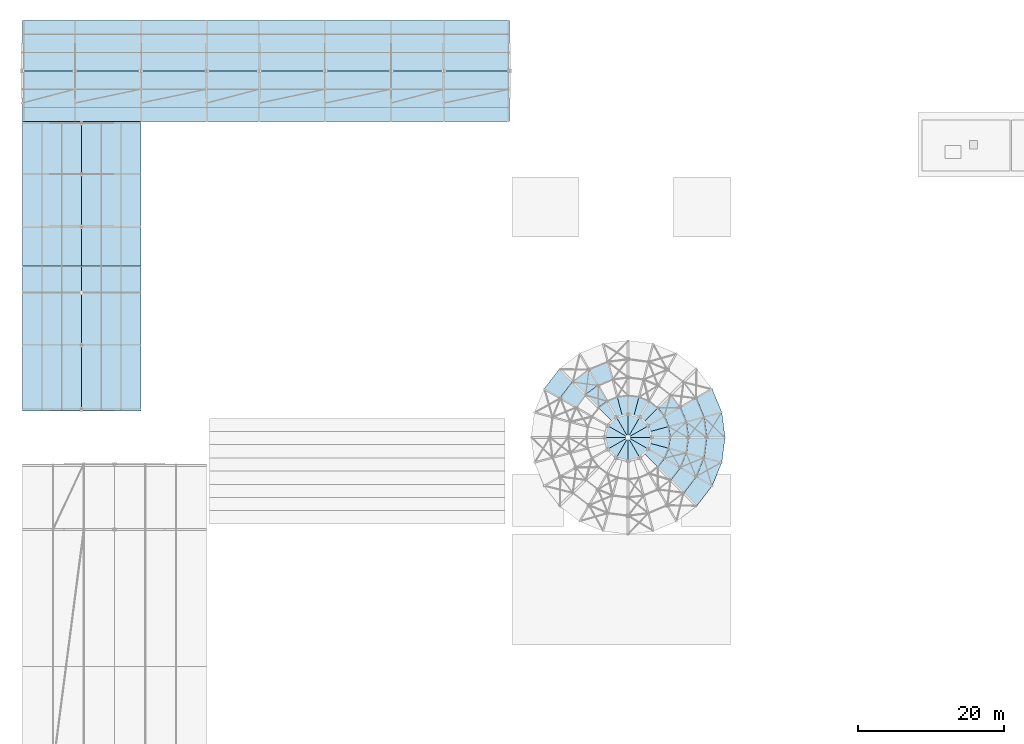
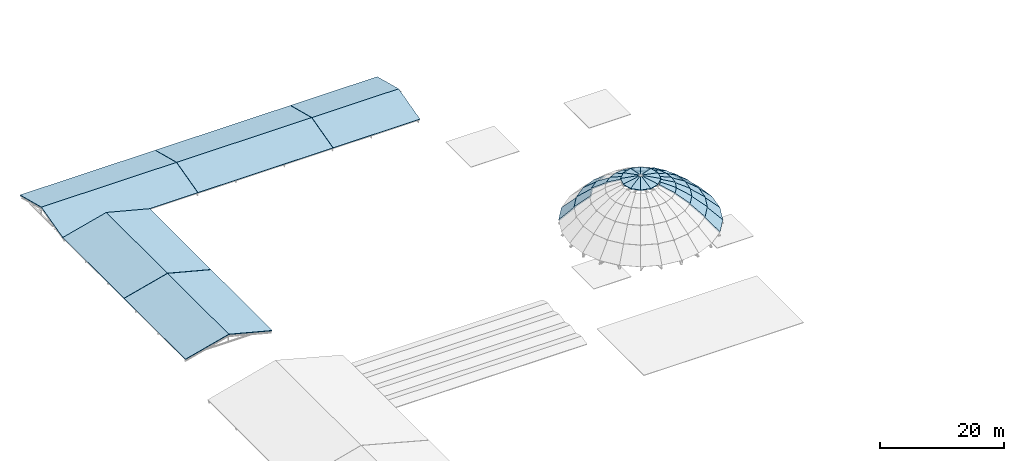
# One storey, part 29 of 31: 55 roofs.
"""IFC4 building model written with IfcOpenShell, lengths in metres."""

from ifc_helpers import new_model, si_unit, direction, frame, origin, place, context, subcontext, project, spatial, polyline, outline, extrude, material, layer, layer_set, type_object, element, save


model = new_model("IFC4")

# Units and contexts
model_context = context("Model", 3, precision=1e-05, world=origin(), true_north=direction((0.0, 1.0)))
body_context = subcontext(model_context, "Body", "Model", "MODEL_VIEW")
ifc_project = project(units=[si_unit("LENGTHUNIT", "METRE"), si_unit("AREAUNIT", "SQUARE_METRE"), si_unit("VOLUMEUNIT", "CUBIC_METRE"), si_unit("PLANEANGLEUNIT", "RADIAN"), si_unit("MASSUNIT", "GRAM", prefix="KILO")], contexts=[model_context])

# Site, building, storey
site_placement = place(None, origin())
site = spatial("IfcSite", under=ifc_project, at=site_placement, CompositionType="ELEMENT")
building_placement = place(site_placement, origin())
building = spatial("IfcBuilding", under=site, at=building_placement, Name="Clarverna Civic Hall", CompositionType="ELEMENT")
storey_placement = place(building_placement, frame((0.0, 0.0, 31.199951171875)))
storey = spatial("IfcBuildingStorey", under=building, at=storey_placement, Name="RF", CompositionType="ELEMENT", Elevation=31.199951171875)

# Roofs
ifc_material_1 = material(Name="Standing-Seam Patinated Zinc Vault Roof Cladding")
ifc_layer_1 = layer(ifc_material_1, 0.199951171875)
ifc_layer_set_1 = layer_set([ifc_layer_1], Name="Standing-Seam Patinated Zinc Vault Roof Cladding")
roof_type_1 = type_object("IfcRoofType", Name="RF-BV1", PredefinedType="BARREL_ROOF", material=ifc_layer_set_1)
roof_1_placement = place(storey_placement, frame((0.0, 102.199951171875, -10.659912109375), z_axis=(0.0, -0.250370089647, 0.968150204364), x_axis=(1.0, 0.0, 0.0)))
element("IfcRoof", 1, at=roof_1_placement, inside=storey, type_object=roof_type_1, Name="RF-BV1-001", PredefinedType="BARREL_ROOF", context=body_context, shape_type="SweptSolid", body=[
    extrude(outline(polyline([(0.0, 0.0), (25.179931640625, 0.0), (25.179931640625, 7.127144582805442), (0.0, 7.127144582805442), (0.0, 0.0)])), origin(), (0.0, 0.0, -1.0), 0.1201171875),
])
roof_2_placement = place(storey_placement, frame((0.0, 109.10009765625, -8.87548828125), z_axis=(0.0, 0.250378393193, 0.968148056974), x_axis=(1.0, 0.0, 0.0)))
element("IfcRoof", 2, at=roof_2_placement, inside=storey, type_object=roof_type_1, Name="RF-BV1-002", PredefinedType="BARREL_ROOF", context=body_context, shape_type="SweptSolid", body=[
    extrude(outline(polyline([(0.0, 0.0), (25.179931640625, 0.0), (25.179931640625, 7.126908218271582), (0.0, 7.126908218271582), (0.0, 0.0)])), origin(), (0.0, 0.0, -1.0), 0.1201171875),
])
roof_3_placement = place(storey_placement, frame((25.219970703125, 102.199951171875, -10.659912109375), z_axis=(0.0, -0.250370089647, 0.968150204364), x_axis=(1.0, 0.0, 0.0)))
element("IfcRoof", 3, at=roof_3_placement, inside=storey, type_object=roof_type_1, Name="RF-BV1-003", PredefinedType="BARREL_ROOF", context=body_context, shape_type="SweptSolid", body=[
    extrude(outline(polyline([(0.0, 0.0), (25.159912109375, 0.0), (25.159912109375, 7.127144582805442), (0.0, 7.127144582805442), (0.0, 0.0)])), origin(), (0.0, 0.0, -1.0), 0.1201171875),
])
roof_4_placement = place(storey_placement, frame((25.219970703125, 109.10009765625, -8.87548828125), z_axis=(0.0, 0.250378393193, 0.968148056974), x_axis=(1.0, 0.0, 0.0)))
element("IfcRoof", 4, at=roof_4_placement, inside=storey, type_object=roof_type_1, Name="RF-BV1-004", PredefinedType="BARREL_ROOF", context=body_context, shape_type="SweptSolid", body=[
    extrude(outline(polyline([(0.0, 0.0), (25.159912109375, 0.0), (25.159912109375, 7.126908218271583), (0.0, 7.126908218271583), (0.0, 0.0)])), origin(), (0.0, 0.0, -1.0), 0.1201171875),
])
roof_5_placement = place(storey_placement, frame((50.419921875, 102.199951171875, -10.659912109375), z_axis=(0.0, -0.250370089647, 0.968150204364), x_axis=(1.0, 0.0, 0.0)))
element("IfcRoof", 5, at=roof_5_placement, inside=storey, type_object=roof_type_1, Name="RF-BV1-005", PredefinedType="BARREL_ROOF", context=body_context, shape_type="SweptSolid", body=[
    extrude(outline(polyline([(0.0, 0.0), (16.18017578125, 0.0), (16.18017578125, 7.127144582805442), (0.0, 7.127144582805442), (0.0, 0.0)])), origin(), (0.0, 0.0, -1.0), 0.1201171875),
])
roof_6_placement = place(storey_placement, frame((50.419921875, 109.10009765625, -8.87548828125), z_axis=(0.0, 0.250378393193, 0.968148056974), x_axis=(1.0, 0.0, 0.0)))
element("IfcRoof", 6, at=roof_6_placement, inside=storey, type_object=roof_type_1, Name="RF-BV1-006", PredefinedType="BARREL_ROOF", context=body_context, shape_type="SweptSolid", body=[
    extrude(outline(polyline([(0.0, 0.0), (16.18017578125, 0.0), (16.18017578125, 7.126908218271582), (0.0, 7.126908218271582), (0.0, 0.0)])), origin(), (0.0, 0.0, -1.0), 0.1201171875),
])
roof_7_placement = place(storey_placement, frame((0.0, 62.60009765625, -10.659912109375), z_axis=(-0.250368674807, 0.0, 0.96815057025), x_axis=(0.96815057025, 0.0, 0.250368674807)))
element("IfcRoof", 7, at=roof_7_placement, inside=storey, type_object=roof_type_1, Name="RF-BV1-007", PredefinedType="BARREL_ROOF", context=body_context, shape_type="SweptSolid", body=[
    extrude(outline(polyline([(0.0, 0.0), (8.366568078515217, 0.0), (8.366568078515217, 19.77978515625), (0.0, 19.77978515625), (0.0, 0.0)])), origin(), (0.0, 0.0, -1.0), 0.1201171875),
])
roof_8_placement = place(storey_placement, frame((8.10009765625, 62.60009765625, -8.565185546875), z_axis=(0.250375748195, 0.0, 0.968148741008), x_axis=(0.968148741008, 0.0, -0.250375748195)))
element("IfcRoof", 8, at=roof_8_placement, inside=storey, type_object=roof_type_1, Name="RF-BV1-008", PredefinedType="BARREL_ROOF", context=body_context, shape_type="SweptSolid", body=[
    extrude(outline(polyline([(0.0, 0.0), (8.366331713853196, 0.0), (8.366331713853196, 19.77978515625), (0.0, 19.77978515625), (0.0, 0.0)])), origin(), (0.0, 0.0, -1.0), 0.1201171875),
])
roof_9_placement = place(storey_placement, frame((0.0, 82.419921875, -10.659912109375), z_axis=(-0.250368674807, 0.0, 0.96815057025), x_axis=(0.96815057025, 0.0, 0.250368674807)))
element("IfcRoof", 9, at=roof_9_placement, inside=storey, type_object=roof_type_1, Name="RF-BV1-009", PredefinedType="BARREL_ROOF", context=body_context, shape_type="SweptSolid", body=[
    extrude(outline(polyline([(0.0, 0.0), (8.366568078515217, 0.0), (8.366568078515217, 19.760009765625), (0.0, 19.760009765625), (0.0, 0.0)])), origin(), (0.0, 0.0, -1.0), 0.1201171875),
])
roof_10_placement = place(storey_placement, frame((8.10009765625, 82.419921875, -8.565185546875), z_axis=(0.250375748195, 0.0, 0.968148741008), x_axis=(0.968148741008, 0.0, -0.250375748195)))
element("IfcRoof", 10, at=roof_10_placement, inside=storey, type_object=roof_type_1, Name="RF-BV1-010", PredefinedType="BARREL_ROOF", context=body_context, shape_type="SweptSolid", body=[
    extrude(outline(polyline([(0.0, 0.0), (8.366331713853196, 0.0), (8.366331713853196, 19.760009765625), (0.0, 19.760009765625), (0.0, 0.0)])), origin(), (0.0, 0.0, -1.0), 0.1201171875),
])
ifc_material_2 = material(Name="Standing-Seam Patinated Bronze Dome Roof Cladding")
ifc_layer_2 = layer(ifc_material_2, 0.219970703125)
ifc_layer_set_2 = layer_set([ifc_layer_2], Name="Standing-Seam Patinated Bronze Dome Roof Cladding")
roof_type_2 = type_object("IfcRoofType", Name="RF-DM1", PredefinedType="DOME_ROOF", material=ifc_layer_set_2)
roof_11_placement = place(storey_placement, frame((96.06005859375, 59.0, -9.97998046875), z_axis=(0.695927746114, 0.091629433675, 0.712241966661), x_axis=(-0.130544959956, 0.991442390353, 6.395297e-06)))
element("IfcRoof", 11, at=roof_11_placement, inside=storey, type_object=roof_type_2, Name="RF-DM1-001", PredefinedType="DOME_ROOF", context=body_context, shape_type="SweptSolid", body=[
    extrude(outline(polyline([(0.0, 0.0), (3.4615098637873336, -5.551115123125783e-17), (3.119727783217407, 3.6471214343106277), (0.3420594656592287, 3.6471782792527456), (0.0, 0.0)])), origin(), (0.0, 0.0, -1.0), 0.219970703125),
])
roof_12_placement = place(storey_placement, frame((95.608154296875, 62.431884765625, -9.97998046875), z_axis=(0.648509166763, 0.268632767935, 0.712230508063), x_axis=(-0.382696920977, 0.92387394523, -4.96727e-07)))
element("IfcRoof", 12, at=roof_12_placement, inside=storey, type_object=roof_type_2, Name="RF-DM1-002", PredefinedType="DOME_ROOF", context=body_context, shape_type="SweptSolid", body=[
    extrude(outline(polyline([(0.0, 0.0), (3.461508374459562, 0.0), (3.119759414187362, 3.647091655995121), (0.34214675983084375, 3.647087240923117), (0.0, 0.0)])), origin(), (0.0, 0.0, -1.0), 0.219970703125),
])
roof_13_placement = place(storey_placement, frame((73.423828125, 68.376220703125, -9.97998046875), z_axis=(-0.556893018078, 0.427331273749, 0.71222057601), x_axis=(-0.608774459796, -0.793343341242, -2.563407e-06)))
element("IfcRoof", 13, at=roof_13_placement, inside=storey, type_object=roof_type_2, Name="RF-DM1-010", PredefinedType="DOME_ROOF", context=body_context, shape_type="SweptSolid", body=[
    extrude(outline(polyline([(0.0, 0.0), (3.4617334918442024, -2.220446049250313e-16), (3.11952409646787, 3.647048481805953), (0.341914500129927, 3.6470256969283406), (0.0, 0.0)])), origin(), (0.0, 0.0, -1.0), 0.219970703125),
])
roof_14_placement = place(storey_placement, frame((92.17626953125, 49.623779296875, -9.97998046875), z_axis=(0.556895750862, -0.427305903633, 0.71223366067), x_axis=(0.608739806228, 0.793369931505, 9.890053e-06)))
element("IfcRoof", 14, at=roof_14_placement, inside=storey, type_object=roof_type_2, Name="RF-DM1-022", PredefinedType="DOME_ROOF", context=body_context, shape_type="SweptSolid", body=[
    extrude(outline(polyline([(0.0, 0.0), (3.461584869885159, 0.0), (3.119520814840482, 3.647062116144733), (0.3419112201881266, 3.64715002358043), (0.0, 0.0)])), origin(), (0.0, 0.0, -1.0), 0.219970703125),
])
roof_15_placement = place(storey_placement, frame((94.283447265625, 52.3701171875, -9.97998046875), z_axis=(0.648509166763, -0.268632767935, 0.712230508063), x_axis=(0.382696920977, 0.92387394523, 4.96727e-07)))
element("IfcRoof", 15, at=roof_15_placement, inside=storey, type_object=roof_type_2, Name="RF-DM1-023", PredefinedType="DOME_ROOF", context=body_context, shape_type="SweptSolid", body=[
    extrude(outline(polyline([(0.0, 0.0), (3.461508374459562, 0.0), (3.1193616146287177, 3.647087240923117), (0.34174896027220025, 3.647091655995121), (0.0, 0.0)])), origin(), (0.0, 0.0, -1.0), 0.219970703125),
])
roof_16_placement = place(storey_placement, frame((95.608154296875, 55.568115234375, -9.97998046875), z_axis=(0.695927746114, -0.091629433675, 0.712241966661), x_axis=(0.130544959956, 0.991442390353, -6.395297e-06)))
element("IfcRoof", 16, at=roof_16_placement, inside=storey, type_object=roof_type_2, Name="RF-DM1-024", PredefinedType="DOME_ROOF", context=body_context, shape_type="SweptSolid", body=[
    extrude(outline(polyline([(0.0, 0.0), (3.4615098637873336, 5.551115123125783e-17), (3.1194503981281048, 3.6471782792527456), (0.34178208056992654, 3.6471214343106277), (0.0, 0.0)])), origin(), (0.0, 0.0, -1.0), 0.219970703125),
])
roof_17_placement = place(storey_placement, frame((93.56005859375, 59.0, -7.419921875), z_axis=(0.632131082607, 0.083228278894, 0.770378704271), x_axis=(-0.130542522485, 0.991442711304, 5.082671e-06)))
element("IfcRoof", 17, at=roof_17_placement, inside=storey, type_object=roof_type_2, Name="RF-DM1-025", PredefinedType="DOME_ROOF", context=body_context, shape_type="SweptSolid", body=[
    extrude(outline(polyline([(0.0, 0.0), (2.808950653470424, -1.1102230246251565e-16), (2.46691469011001, 3.3719181982408273), (0.3420476341082023, 3.3719575293221276), (0.0, 0.0)])), origin(), (0.0, 0.0, -1.0), 0.219970703125),
])
roof_18_placement = place(storey_placement, frame((93.193359375, 61.784912109375, -7.419921875), z_axis=(0.58905802907, 0.244002720627, 0.770372189733), x_axis=(-0.38270145298, 0.923872067889, 7.873517e-06)))
element("IfcRoof", 18, at=roof_18_placement, inside=storey, type_object=roof_type_2, Name="RF-DM1-026", PredefinedType="DOME_ROOF", context=body_context, shape_type="SweptSolid", body=[
    extrude(outline(polyline([(0.0, 0.0), (2.8088063249658908, 0.0), (2.4670883059123403, 3.371865771044381), (0.3419521462840261, 3.371926699237493), (0.0, 0.0)])), origin(), (0.0, 0.0, -1.0), 0.219970703125),
])
roof_19_placement = place(storey_placement, frame((80.01513671875, 69.393310546875, -7.419921875), z_axis=(-0.244002720627, 0.58905802907, 0.770372189733), x_axis=(-0.923879622307, -0.382683215485, -8.464354e-06)))
element("IfcRoof", 19, at=roof_19_placement, inside=storey, type_object=roof_type_2, Name="RF-DM1-032", PredefinedType="DOME_ROOF", context=body_context, shape_type="SweptSolid", body=[
    extrude(outline(polyline([(0.0, 0.0), (2.8090318805921726, -1.1102230246251565e-16), (2.4670019036185424, 3.371928987190066), (0.34209129967508844, 3.371863486877147), (0.0, 0.0)])), origin(), (0.0, 0.0, -1.0), 0.219970703125),
])
roof_20_placement = place(storey_placement, frame((77.419921875, 68.318359375, -7.419921875), z_axis=(-0.388129400504, 0.505842844925, 0.770375612739), x_axis=(-0.793362723117, -0.608749200854, 5.230566e-06)))
element("IfcRoof", 20, at=roof_20_placement, inside=storey, type_object=roof_type_2, Name="RF-DM1-033", PredefinedType="DOME_ROOF", context=body_context, shape_type="SweptSolid", body=[
    extrude(outline(polyline([(0.0, 0.0), (2.808958578954358, 0.0), (2.4667723706309124, 3.371897872415734), (0.34193768575538847, 3.3719383475162035), (0.0, 0.0)])), origin(), (0.0, 0.0, -1.0), 0.219970703125),
])
roof_21_placement = place(storey_placement, frame((75.19140625, 66.6083984375, -7.419921875), z_axis=(-0.50586002107, 0.38814257963, 0.770357694166), x_axis=(-0.608716732681, -0.793387634472, 2.8641073e-05)))
element("IfcRoof", 21, at=roof_21_placement, inside=storey, type_object=roof_type_2, Name="RF-DM1-034", PredefinedType="DOME_ROOF", context=body_context, shape_type="SweptSolid", body=[
    extrude(outline(polyline([(0.0, 0.0), (2.808809962507313, 0.0), (2.467006318812811, 3.3716928048133483), (0.34202302230178117, 3.3719144272716197), (0.0, 0.0)])), origin(), (0.0, 0.0, -1.0), 0.219970703125),
])
roof_22_placement = place(storey_placement, frame((90.408447265625, 51.3916015625, -7.419921875), z_axis=(0.50586002107, -0.38814257963, 0.770357694166), x_axis=(0.608749200621, 0.793362723296, -5.230622e-06)))
element("IfcRoof", 22, at=roof_22_placement, inside=storey, type_object=roof_type_2, Name="RF-DM1-046", PredefinedType="DOME_ROOF", context=body_context, shape_type="SweptSolid", body=[
    extrude(outline(polyline([(0.0, 0.0), (2.808958578954354, -2.220446049250313e-16), (2.466827201771273, 3.3718238541913417), (0.34199251689573706, 3.3717833800323036), (0.0, 0.0)])), origin(), (0.0, 0.0, -1.0), 0.219970703125),
])
roof_23_placement = place(storey_placement, frame((92.118408203125, 53.6201171875, -7.419921875), z_axis=(0.58905802907, -0.244002720627, 0.770372189733), x_axis=(0.38270145298, 0.923872067889, -7.873517e-06)))
element("IfcRoof", 23, at=roof_23_placement, inside=storey, type_object=roof_type_2, Name="RF-DM1-047", PredefinedType="DOME_ROOF", context=body_context, shape_type="SweptSolid", body=[
    extrude(outline(polyline([(0.0, 0.0), (2.8088063249658908, 0.0), (2.4668541786818645, 3.371926699237493), (0.3417180190535503, 3.371865771044381), (0.0, 0.0)])), origin(), (0.0, 0.0, -1.0), 0.219970703125),
])
roof_24_placement = place(storey_placement, frame((93.193359375, 56.215087890625, -7.419921875), z_axis=(0.632131082607, -0.083228278894, 0.770378704271), x_axis=(0.130542522485, 0.991442711304, -5.082671e-06)))
element("IfcRoof", 24, at=roof_24_placement, inside=storey, type_object=roof_type_2, Name="RF-DM1-048", PredefinedType="DOME_ROOF", context=body_context, shape_type="SweptSolid", body=[
    extrude(outline(polyline([(0.0, 0.0), (2.808950653470424, 1.1102230246251565e-16), (2.4669030193622214, 3.3719575293221276), (0.3420359633604138, 3.3719181982408273), (0.0, 0.0)])), origin(), (0.0, 0.0, -1.0), 0.219970703125),
])
roof_25_placement = place(storey_placement, frame((91.06005859375, 59.0, -5.27001953125), z_axis=(0.531615556543, 0.069992139782, 0.844088858124), x_axis=(-0.130547985327, 0.991441991966, 9.706783e-06)))
element("IfcRoof", 25, at=roof_25_placement, inside=storey, type_object=roof_type_2, Name="RF-DM1-049", PredefinedType="DOME_ROOF", context=body_context, shape_type="SweptSolid", body=[
    extrude(outline(polyline([(0.0, 0.0), (2.156149391780607, -2.7755575615628914e-17), (1.8143748830775122, 3.077431290739188), (0.34206703776133995, 3.077496975983968), (0.0, 0.0)])), origin(), (0.0, 0.0, -1.0), 0.219970703125),
])
roof_26_placement = place(storey_placement, frame((90.778564453125, 61.1376953125, -5.27001953125), z_axis=(0.495398549414, 0.205201496437, 0.844080933974), x_axis=(-0.382684945351, 0.92387890581, 2.75816e-07)))
element("IfcRoof", 26, at=roof_26_placement, inside=storey, type_object=roof_type_2, Name="RF-DM1-050", PredefinedType="DOME_ROOF", context=body_context, shape_type="SweptSolid", body=[
    extrude(outline(polyline([(0.0, 0.0), (2.15632983073734, 0.0), (1.8145489266031745, 3.0773916112696584), (0.3421148159961744, 3.0773934778169187), (0.0, 0.0)])), origin(), (0.0, 0.0, -1.0), 0.219970703125),
])
roof_27_placement = place(storey_placement, frame((89.953369140625, 63.1298828125, -5.27001953125), z_axis=(0.42541407047, 0.326420158549, 0.844081008398), x_axis=(-0.608735829555, 0.793372982728, -9.652769e-06)))
element("IfcRoof", 27, at=roof_27_placement, inside=storey, type_object=roof_type_2, Name="RF-DM1-051", PredefinedType="DOME_ROOF", context=body_context, shape_type="SweptSolid", body=[
    extrude(outline(polyline([(0.0, 0.0), (2.1565259810731057, 2.220446049250313e-16), (1.8142688193739, 3.077425877323951), (0.34206042590040947, 3.0773605541061904), (0.0, 0.0)])), origin(), (0.0, 0.0, -1.0), 0.219970703125),
])
roof_28_placement = place(storey_placement, frame((78.669921875, 66.1533203125, -5.27001953125), z_axis=(-0.326430928968, 0.425392029561, 0.844087951459), x_axis=(-0.793374881444, -0.608733353839, -3.7653326e-05)))
element("IfcRoof", 28, at=roof_28_placement, inside=storey, type_object=roof_type_2, Name="RF-DM1-057", PredefinedType="DOME_ROOF", context=body_context, shape_type="SweptSolid", body=[
    extrude(outline(polyline([(0.0, 0.0), (2.156183668094725, -1.1102230246251565e-16), (1.814020813644329, 3.0775833355479585), (0.34166380482486897, 3.077328532457343), (0.0, 0.0)])), origin(), (0.0, 0.0, -1.0), 0.219970703125),
])
roof_29_placement = place(storey_placement, frame((88.640625, 53.1591796875, -5.27001953125), z_axis=(0.42541407047, -0.326420158549, 0.844081008398), x_axis=(0.608735829555, 0.793372982728, 9.652769e-06)))
element("IfcRoof", 29, at=roof_29_placement, inside=storey, type_object=roof_type_2, Name="RF-DM1-070", PredefinedType="DOME_ROOF", context=body_context, shape_type="SweptSolid", body=[
    extrude(outline(polyline([(0.0, 0.0), (2.1565259810731057, -2.220446049250313e-16), (1.8144655551726965, 3.0773605541061904), (0.3422571616992058, 3.077425877323951), (0.0, 0.0)])), origin(), (0.0, 0.0, -1.0), 0.219970703125),
])
roof_30_placement = place(storey_placement, frame((89.953369140625, 54.8701171875, -5.27001953125), z_axis=(0.495398549414, -0.205201496437, 0.844080933974), x_axis=(0.382684945351, 0.92387890581, -2.75816e-07)))
element("IfcRoof", 30, at=roof_30_placement, inside=storey, type_object=roof_type_2, Name="RF-DM1-071", PredefinedType="DOME_ROOF", context=body_context, shape_type="SweptSolid", body=[
    extrude(outline(polyline([(0.0, 0.0), (2.15632983073734, 0.0), (1.8142150147411653, 3.077393477816919), (0.3417809041341657, 3.0773916112696584), (0.0, 0.0)])), origin(), (0.0, 0.0, -1.0), 0.219970703125),
])
roof_31_placement = place(storey_placement, frame((90.778564453125, 56.8623046875, -5.27001953125), z_axis=(0.531615556543, -0.069992139782, 0.844088858124), x_axis=(0.130547985327, 0.991441991966, -9.706783e-06)))
element("IfcRoof", 31, at=roof_31_placement, inside=storey, type_object=roof_type_2, Name="RF-DM1-072", PredefinedType="DOME_ROOF", context=body_context, shape_type="SweptSolid", body=[
    extrude(outline(polyline([(0.0, 0.0), (2.156149391780607, 2.7755575615628914e-17), (1.8140823540192672, 3.077496975983968), (0.3417745087030949, 3.077431290739188), (0.0, 0.0)])), origin(), (0.0, 0.0, -1.0), 0.219970703125),
])
roof_32_placement = place(storey_placement, frame((88.56005859375, 59.0, -3.619873046875), z_axis=(0.386559616296, 0.050885749172, 0.920859546066), x_axis=(-0.13054154745, 0.991442839616, 1.2791134e-05)))
element("IfcRoof", 32, at=roof_32_placement, inside=storey, type_object=roof_type_2, Name="RF-DM1-073", PredefinedType="DOME_ROOF", context=body_context, shape_type="SweptSolid", body=[
    extrude(outline(polyline([(0.0, 0.0), (1.5035901813585975, -5.551115123125783e-17), (1.161796855993808, 2.8208624253713754), (0.3420482205288155, 2.82093864634849), (0.0, 0.0)])), origin(), (0.0, 0.0, -1.0), 0.219970703125),
])
roof_33_placement = place(storey_placement, frame((88.36376953125, 60.49072265625, -3.619873046875), z_axis=(0.360222098385, 0.1492184807, 0.92085497493), x_axis=(-0.382701297984, 0.923872132126, -1.445725e-06)))
element("IfcRoof", 33, at=roof_33_placement, inside=storey, type_object=roof_type_2, Name="RF-DM1-074", PredefinedType="DOME_ROOF", context=body_context, shape_type="SweptSolid", body=[
    extrude(outline(polyline([(0.0, 0.0), (1.5036277810414886, 0.0), (1.1618908087799633, 2.8208267393205104), (0.34215874780225847, 2.8208181245640462), (0.0, 0.0)])), origin(), (0.0, 0.0, -1.0), 0.219970703125),
])
roof_34_placement = place(storey_placement, frame((87.788330078125, 61.8798828125, -3.619873046875), z_axis=(0.309319083375, 0.237376790606, 0.920855017873), x_axis=(-0.608774604074, 0.793343230352, -1.7013922e-05)))
element("IfcRoof", 34, at=roof_34_placement, inside=storey, type_object=roof_type_2, Name="RF-DM1-075", PredefinedType="DOME_ROOF", context=body_context, shape_type="SweptSolid", body=[
    extrude(outline(polyline([(0.0, 0.0), (1.5038996904313662, 1.1102230246251565e-16), (1.1617667004051897, 2.8208738624878023), (0.34218459270153495, 2.8207724749130745), (0.0, 0.0)])), origin(), (0.0, 0.0, -1.0), 0.219970703125),
])
roof_35_placement = place(storey_placement, frame((86.872802734375, 63.072998046875, -3.619873046875), z_axis=(0.237369046932, 0.309321411235, 0.920856232053), x_axis=(-0.793360496438, 0.608752102467, 2.0812679e-05)))
element("IfcRoof", 35, at=roof_35_placement, inside=storey, type_object=roof_type_2, Name="RF-DM1-076", PredefinedType="DOME_ROOF", context=body_context, shape_type="SweptSolid", body=[
    extrude(outline(polyline([(0.0, 0.0), (1.5035573773794821, 1.1102230246251565e-16), (1.161450635235285, 2.8207819177147138), (0.34186853087547947, 2.82090592507893), (0.0, 0.0)])), origin(), (0.0, 0.0, -1.0), 0.219970703125),
])
roof_36_placement = place(storey_placement, frame((85.679931640625, 63.98828125, -3.619873046875), z_axis=(0.1492184807, 0.360222098385, 0.92085497493), x_axis=(-0.923872132126, 0.382701297984, 1.445725e-06)))
element("IfcRoof", 36, at=roof_36_placement, inside=storey, type_object=roof_type_2, Name="RF-DM1-077", PredefinedType="DOME_ROOF", context=body_context, shape_type="SweptSolid", body=[
    extrude(outline(polyline([(0.0, 0.0), (1.5036277810414886, 0.0), (1.1614690332392301, 2.8208181245640462), (0.3417369722615254, 2.82082673932051), (0.0, 0.0)])), origin(), (0.0, 0.0, -1.0), 0.219970703125),
])
roof_37_placement = place(storey_placement, frame((84.290771484375, 64.563720703125, -3.619873046875), z_axis=(0.050885749172, 0.386559616296, 0.920859546066), x_axis=(-0.991442839616, 0.13054154745, -1.2791134e-05)))
element("IfcRoof", 37, at=roof_37_placement, inside=storey, type_object=roof_type_2, Name="RF-DM1-078", PredefinedType="DOME_ROOF", context=body_context, shape_type="SweptSolid", body=[
    extrude(outline(polyline([(0.0, 0.0), (1.5035901813585975, 5.551115123125783e-17), (1.1615419608297821, 2.82093864634849), (0.34179332536478907, 2.8208624253713754), (0.0, 0.0)])), origin(), (0.0, 0.0, -1.0), 0.219970703125),
])
roof_38_placement = place(storey_placement, frame((82.800048828125, 64.760009765625, -3.619873046875), z_axis=(-0.050880183698, 0.386558303845, 0.920860404532), x_axis=(-0.99144545765, -0.130521662582, 1.0105213e-05)))
element("IfcRoof", 38, at=roof_38_placement, inside=storey, type_object=roof_type_2, Name="RF-DM1-079", PredefinedType="DOME_ROOF", context=body_context, shape_type="SweptSolid", body=[
    extrude(outline(polyline([(0.0, 0.0), (1.503832233052774, 2.7755575615628914e-17), (1.1617418026221589, 2.820885098955538), (0.34199316572577365, 2.820945321410912), (0.0, 0.0)])), origin(), (0.0, 0.0, -1.0), 0.219970703125),
])
roof_39_placement = place(storey_placement, frame((81.30908203125, 64.563720703125, -3.619873046875), z_axis=(-0.149213929462, 0.36021111143, 0.920860010239), x_axis=(-0.92387213214, -0.38270129795, -1.445689e-06)))
element("IfcRoof", 39, at=roof_39_placement, inside=storey, type_object=roof_type_2, Name="RF-DM1-080", PredefinedType="DOME_ROOF", context=body_context, shape_type="SweptSolid", body=[
    extrude(outline(polyline([(0.0, 0.0), (1.5036277810414886, 5.551115123125783e-17), (1.161665254003011, 2.8209127776343244), (0.34193319302530645, 2.8209041628307543), (0.0, 0.0)])), origin(), (0.0, 0.0, -1.0), 0.219970703125),
])
roof_40_placement = place(storey_placement, frame((79.919921875, 63.98828125, -3.619873046875), z_axis=(-0.237343499806, 0.309329090892, 0.920860237293), x_axis=(-0.793366416914, -0.608744386839, 2.156405e-06)))
element("IfcRoof", 40, at=roof_40_placement, inside=storey, type_object=roof_type_2, Name="RF-DM1-081", PredefinedType="DOME_ROOF", context=body_context, shape_type="SweptSolid", body=[
    extrude(outline(polyline([(0.0, 0.0), (1.5035573777593871, -1.1102230246251565e-16), (1.1616888462104782, 2.820905925199808), (0.34191304998037897, 2.820918775003179), (0.0, 0.0)])), origin(), (0.0, 0.0, -1.0), 0.219970703125),
])
roof_41_placement = place(storey_placement, frame((86.872802734375, 54.927001953125, -3.619873046875), z_axis=(0.309319083375, -0.237376790606, 0.920855017873), x_axis=(0.608774604074, 0.793343230352, 1.7013922e-05)))
element("IfcRoof", 41, at=roof_41_placement, inside=storey, type_object=roof_type_2, Name="RF-DM1-094", PredefinedType="DOME_ROOF", context=body_context, shape_type="SweptSolid", body=[
    extrude(outline(polyline([(0.0, 0.0), (1.5038996904313662, -1.1102230246251565e-16), (1.1617150977298312, 2.8207724749130745), (0.3421329900261763, 2.8208738624878023), (0.0, 0.0)])), origin(), (0.0, 0.0, -1.0), 0.219970703125),
])
roof_42_placement = place(storey_placement, frame((87.788330078125, 56.1201171875, -3.619873046875), z_axis=(0.360222098385, -0.1492184807, 0.92085497493), x_axis=(0.382701297984, 0.923872132126, 1.445725e-06)))
element("IfcRoof", 42, at=roof_42_placement, inside=storey, type_object=roof_type_2, Name="RF-DM1-095", PredefinedType="DOME_ROOF", context=body_context, shape_type="SweptSolid", body=[
    extrude(outline(polyline([(0.0, 0.0), (1.5036277810414886, 0.0), (1.1614690332392301, 2.8208181245640462), (0.3417369722615254, 2.82082673932051), (0.0, 0.0)])), origin(), (0.0, 0.0, -1.0), 0.219970703125),
])
roof_43_placement = place(storey_placement, frame((88.36376953125, 57.50927734375, -3.619873046875), z_axis=(0.386559616296, -0.050885749172, 0.920859546066), x_axis=(0.13054154745, 0.991442839616, -1.2791134e-05)))
element("IfcRoof", 43, at=roof_43_placement, inside=storey, type_object=roof_type_2, Name="RF-DM1-096", PredefinedType="DOME_ROOF", context=body_context, shape_type="SweptSolid", body=[
    extrude(outline(polyline([(0.0, 0.0), (1.5035901813585975, 5.551115123125783e-17), (1.1615419608297821, 2.82093864634849), (0.34179332536478907, 2.8208624253713754), (0.0, 0.0)])), origin(), (0.0, 0.0, -1.0), 0.219970703125),
])
roof_44_placement = place(storey_placement, frame((86.06005859375, 59.0, -1.83984375), z_axis=(0.195793703418, 0.052479666343, 0.979239863528), x_axis=(-0.258844401662, 0.965919031597, -1.1237781e-05)))
element("IfcRoof", 44, at=roof_44_placement, inside=storey, type_object=roof_type_2, Name="RF-DM1-097", PredefinedType="DOME_ROOF", context=body_context, shape_type="SweptSolid", body=[
    extrude(outline(polyline([(0.0, 0.0), (1.6873896702922841, -2.220446049250313e-16), (0.9110195484962214, 2.95929530109439), (0.7765264639631516, 2.9591942975407295), (0.0, 0.0)])), origin(), (0.0, 0.0, -1.0), 0.159912109375),
])
roof_45_placement = place(storey_placement, frame((85.623291015625, 60.6298828125, -1.83984375), z_axis=(0.14333330558, 0.14333330558, 0.979240076296), x_axis=(-0.707106781187, 0.707106781187, 0.0)))
element("IfcRoof", 45, at=roof_45_placement, inside=storey, type_object=roof_type_2, Name="RF-DM1-098", PredefinedType="DOME_ROOF", context=body_context, shape_type="SweptSolid", body=[
    extrude(outline(polyline([(0.0, 0.0), (1.6876650129100803, 0.0), (0.9111595681402826, 2.9592597959143117), (0.7765054447697974, 2.9592597959143117), (0.0, 0.0)])), origin(), (0.0, 0.0, -1.0), 0.159912109375),
])
roof_46_placement = place(storey_placement, frame((84.429931640625, 61.8232421875, -1.83984375), z_axis=(0.052479666343, 0.195793703418, 0.979239863528), x_axis=(-0.965919031597, 0.258844401662, 1.1237781e-05)))
element("IfcRoof", 46, at=roof_46_placement, inside=storey, type_object=roof_type_2, Name="RF-DM1-099", PredefinedType="DOME_ROOF", context=body_context, shape_type="SweptSolid", body=[
    extrude(outline(polyline([(0.0, 0.0), (1.6873896702922841, 2.220446049250313e-16), (0.9108632063291324, 2.9591942975407295), (0.7763701217960626, 2.9592953010943903), (0.0, 0.0)])), origin(), (0.0, 0.0, -1.0), 0.159912109375),
])
roof_47_placement = place(storey_placement, frame((82.800048828125, 62.260009765625, -1.83984375), z_axis=(-0.052466084079, 0.195797342759, 0.979239863665), x_axis=(-0.965929062993, -0.258806965211, -4.901105e-06)))
element("IfcRoof", 47, at=roof_47_placement, inside=storey, type_object=roof_type_2, Name="RF-DM1-100", PredefinedType="DOME_ROOF", context=body_context, shape_type="SweptSolid", body=[
    extrude(outline(polyline([(0.0, 0.0), (1.6876254917885158, -5.551115123125783e-17), (0.9111468586679439, 2.9592668311099994), (0.7764179556893395, 2.9592227692790405), (0.0, 0.0)])), origin(), (0.0, 0.0, -1.0), 0.159912109375),
])
roof_48_placement = place(storey_placement, frame((81.169921875, 61.8232421875, -1.83984375), z_axis=(-0.143350980107, 0.143323820012, 0.979238877455), x_axis=(-0.70703465888, -0.707178896136, 1.500662e-06)))
element("IfcRoof", 48, at=roof_48_placement, inside=storey, type_object=roof_type_2, Name="RF-DM1-101", PredefinedType="DOME_ROOF", context=body_context, shape_type="SweptSolid", body=[
    extrude(outline(polyline([(0.0, 0.0), (1.6874923882469557, 3.3306690738754696e-16), (0.9114560161379293, 2.9591685029707877), (0.7768018934679451, 2.9591819923367138), (0.0, 0.0)])), origin(), (0.0, 0.0, -1.0), 0.159912109375),
])
roof_49_placement = place(storey_placement, frame((79.976806640625, 60.6298828125, -1.83984375), z_axis=(-0.195808134379, 0.052456368963, 0.97923822631), x_axis=(-0.25883926408, -0.965920408295, -1.4456214e-05)))
element("IfcRoof", 49, at=roof_49_placement, inside=storey, type_object=roof_type_2, Name="RF-DM1-102", PredefinedType="DOME_ROOF", context=body_context, shape_type="SweptSolid", body=[
    extrude(outline(polyline([(0.0, 0.0), (1.687389670219525, 5.551115123125783e-17), (0.9108632063684085, 2.95919429752864), (0.7764333155694559, 2.9590643767364186), (0.0, 0.0)])), origin(), (0.0, 0.0, -1.0), 0.159912109375),
])
roof_50_placement = place(storey_placement, frame((79.5400390625, 59.0, -1.83984375), z_axis=(-0.195808134379, -0.052456368963, 0.97923822631), x_axis=(0.25883926408, -0.965920408295, 1.4456214e-05)))
element("IfcRoof", 50, at=roof_50_placement, inside=storey, type_object=roof_type_2, Name="RF-DM1-103", PredefinedType="DOME_ROOF", context=body_context, shape_type="SweptSolid", body=[
    extrude(outline(polyline([(0.0, 0.0), (1.687389670219525, -5.551115123125783e-17), (0.9109563546500692, 2.9590643767364186), (0.7765264638511166, 2.95919429752864), (0.0, 0.0)])), origin(), (0.0, 0.0, -1.0), 0.159912109375),
])
roof_51_placement = place(storey_placement, frame((79.976806640625, 57.3701171875, -1.83984375), z_axis=(-0.143350980107, -0.143323820012, 0.979238877455), x_axis=(0.70703465888, -0.707178896136, -1.500662e-06)))
element("IfcRoof", 51, at=roof_51_placement, inside=storey, type_object=roof_type_2, Name="RF-DM1-104", PredefinedType="DOME_ROOF", context=body_context, shape_type="SweptSolid", body=[
    extrude(outline(polyline([(0.0, 0.0), (1.6874923882469557, -3.3306690738754696e-16), (0.9106904947790107, 2.959181992336713), (0.7760363721090263, 2.9591685029707873), (0.0, 0.0)])), origin(), (0.0, 0.0, -1.0), 0.159912109375),
])
roof_52_placement = place(storey_placement, frame((81.169921875, 56.1767578125, -1.83984375), z_axis=(-0.052466084079, -0.195797342759, 0.979239863665), x_axis=(0.965929062993, -0.258806965211, 4.901105e-06)))
element("IfcRoof", 52, at=roof_52_placement, inside=storey, type_object=roof_type_2, Name="RF-DM1-105", PredefinedType="DOME_ROOF", context=body_context, shape_type="SweptSolid", body=[
    extrude(outline(polyline([(0.0, 0.0), (1.6876254917885158, 5.551115123125783e-17), (0.9112075360991763, 2.9592227692790405), (0.7764786331205719, 2.9592668311099994), (0.0, 0.0)])), origin(), (0.0, 0.0, -1.0), 0.159912109375),
])
roof_53_placement = place(storey_placement, frame((82.800048828125, 55.739990234375, -1.83984375), z_axis=(0.052479666343, -0.195793703418, 0.979239863528), x_axis=(0.965919031597, 0.258844401662, -1.1237781e-05)))
element("IfcRoof", 53, at=roof_53_placement, inside=storey, type_object=roof_type_2, Name="RF-DM1-106", PredefinedType="DOME_ROOF", context=body_context, shape_type="SweptSolid", body=[
    extrude(outline(polyline([(0.0, 0.0), (1.6873896702922841, -2.220446049250313e-16), (0.9110195484962214, 2.95929530109439), (0.7765264639631516, 2.9591942975407295), (0.0, 0.0)])), origin(), (0.0, 0.0, -1.0), 0.159912109375),
])
roof_54_placement = place(storey_placement, frame((84.429931640625, 56.1767578125, -1.83984375), z_axis=(0.14333330558, -0.14333330558, 0.979240076296), x_axis=(0.707106781187, 0.707106781187, 0.0)))
element("IfcRoof", 54, at=roof_54_placement, inside=storey, type_object=roof_type_2, Name="RF-DM1-107", PredefinedType="DOME_ROOF", context=body_context, shape_type="SweptSolid", body=[
    extrude(outline(polyline([(0.0, 0.0), (1.6876650129100803, 0.0), (0.9111595681402826, 2.9592597959143117), (0.7765054447697974, 2.9592597959143117), (0.0, 0.0)])), origin(), (0.0, 0.0, -1.0), 0.159912109375),
])
roof_55_placement = place(storey_placement, frame((85.623291015625, 57.3701171875, -1.83984375), z_axis=(0.195793703418, -0.052479666343, 0.979239863528), x_axis=(0.258844401662, 0.965919031597, 1.1237781e-05)))
element("IfcRoof", 55, at=roof_55_placement, inside=storey, type_object=roof_type_2, Name="RF-DM1-108", PredefinedType="DOME_ROOF", context=body_context, shape_type="SweptSolid", body=[
    extrude(outline(polyline([(0.0, 0.0), (1.6873896702922841, 2.220446049250313e-16), (0.9108632063291324, 2.9591942975407295), (0.7763701217960626, 2.9592953010943903), (0.0, 0.0)])), origin(), (0.0, 0.0, -1.0), 0.159912109375),
])

save(model, "model.ifc")
